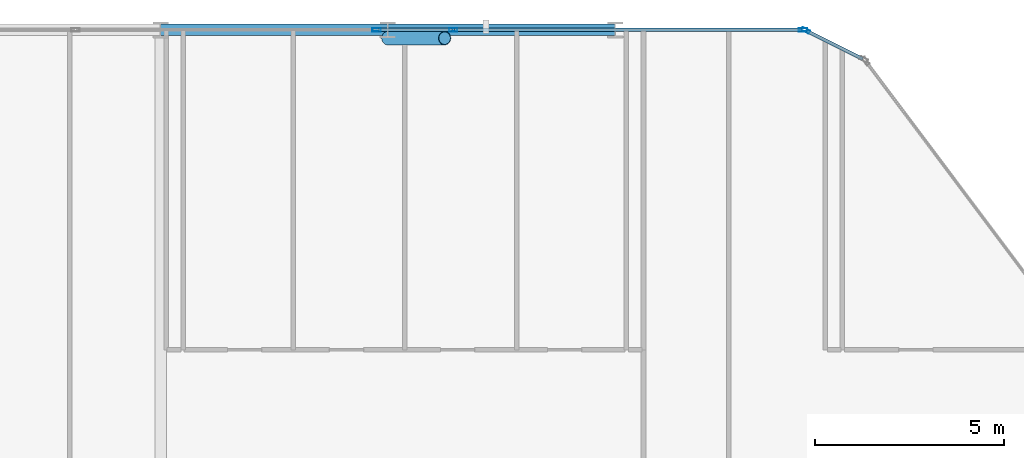
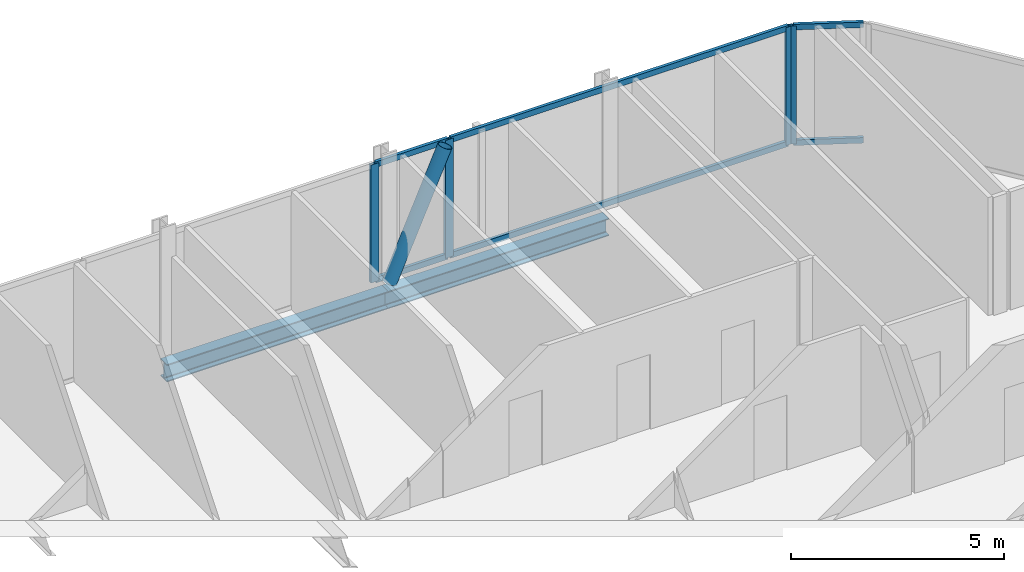
# One storey, part 16 of 34: 11 members, 2 beams, 4 elements without a shape of their own.
"""IFC4 building model written with IfcOpenShell, lengths in metres."""

from ifc_helpers import new_model, si_unit, direction, frame, origin, origin_2d, place, context, subcontext, project, spatial, hollow_rectangle, hollow_circle, i_section, extrude, material, layer, layer_set, material_profile, profile_set, type_object, element, aggregate, save


model = new_model("IFC4")

# Units and contexts
model_context = context("Model", 3, precision=1e-05, world=origin(), true_north=direction((0.0, 1.0)))
body_context = subcontext(model_context, "Body", "Model", "MODEL_VIEW")
ifc_project = project(units=[si_unit("LENGTHUNIT", "METRE"), si_unit("AREAUNIT", "SQUARE_METRE"), si_unit("VOLUMEUNIT", "CUBIC_METRE"), si_unit("PLANEANGLEUNIT", "RADIAN"), si_unit("MASSUNIT", "GRAM", prefix="KILO")], contexts=[model_context])

# Site, building, storey
site_placement = place(None, origin())
site = spatial("IfcSite", under=ifc_project, at=site_placement, CompositionType="ELEMENT")
building_placement = place(site_placement, origin())
building = spatial("IfcBuilding", under=site, at=building_placement, Name="Keshet Zoharim Tower", CompositionType="ELEMENT")
storey_placement = place(building_placement, frame((0.0, 0.0, 31.39990234375)))
storey = spatial("IfcBuildingStorey", under=building, at=storey_placement, Name="L06", CompositionType="ELEMENT", Elevation=31.39990234375)

# Beams
ifc_material_1 = material(Name="Steel S355", Category="steel")
ifc_material_profile_1 = material_profile(ifc_material_1, i_section(OverallWidth=0.300048828125, OverallDepth=0.5, WebThickness=0.014404296875, FlangeThickness=0.028076171875, FilletRadius=0.027099609375, at=origin_2d()), Name="HEB500")
ifc_profile_set_1 = profile_set([ifc_material_profile_1], Name="Steel S355")
beam_type = type_object("IfcBeamType", Name="BM-WEB-HB500", PredefinedType="BEAM", material=ifc_profile_set_1)
for number, where, z_axis, x_axis, name in (
    (1, (33.0, 53.89990234375, -0.56494140625), (1.0, 0.0, 0.0), (0.0, 1.0, 0.0), "L06 Primary Girder X-031"),
    (2, (39.0, 53.89990234375, -0.56494140625), (1.0, 0.0, 0.0), (0.0, 1.0, 0.0), "L06 Primary Girder X-032"),
):
    element("IfcBeam", number, at=place(storey_placement, frame(where, z_axis=z_axis, x_axis=x_axis)), inside=storey, type_object=beam_type, Name=name, PredefinedType="BEAM", context=body_context, shape_type="SweptSolid", body=[
        extrude(i_section(OverallWidth=0.300048828125, OverallDepth=0.5, WebThickness=0.014404296875, FlangeThickness=0.028076171875, FilletRadius=0.027099609375, at=origin_2d()), origin(), (0.0, 0.0, 1.0), 6.0),
    ])

# Curtain wall, member
ifc_material_2 = material(Name="Aluminium 6063-T6", Category="aluminium")
ifc_layer = layer(ifc_material_2, 0.169921875)
ifc_layer_set = layer_set([ifc_layer], Name="Aluminium 6063-T6")
curtain_wall_type = type_object("IfcCurtainWallType", Name="CW-SYS-02", PredefinedType="NOTDEFINED", material=ifc_layer_set)
curtain_wall_1_placement = place(storey_placement, origin())
curtain_wall_1 = element("IfcCurtainWall", 3, at=curtain_wall_1_placement, inside=storey, type_object=curtain_wall_type, Name="L06 Unitised Curtain Wall 07 Part 3", PredefinedType="NOTDEFINED")
ifc_material_profile_2 = material_profile(ifc_material_2, hollow_rectangle(XDim=0.090087890625, YDim=0.219970703125, WallThickness=0.0048828125, at=origin_2d()), Name="MUL-90x220")
ifc_profile_set_2 = profile_set([ifc_material_profile_2], Name="Aluminium 6063-T6")
member_type_1 = type_object("IfcMemberType", Name="CWM-M22", PredefinedType="MULLION", material=ifc_profile_set_2)
member_1_placement = place(storey_placement, frame((38.702392578125, 53.89990234375, 0.0), z_axis=(0.0, 0.0, 1.0), x_axis=(0.0, 1.0, 0.0)))
member_1 = element("IfcMember", 4, at=member_1_placement, type_object=member_type_1, Name="CW-02 mullion 3", PredefinedType="MULLION", context=body_context, shape_type="SweptSolid", body=[
    extrude(hollow_rectangle(XDim=0.090087890625, YDim=0.219970703125, WallThickness=0.0048828125, at=origin_2d()), origin(), (0.0, 0.0, 1.0), 3.385009765625),
])
aggregate(curtain_wall_1, [member_1])

curtain_wall_2_placement = place(storey_placement, origin())
curtain_wall_2 = element("IfcCurtainWall", 5, at=curtain_wall_2_placement, inside=storey, type_object=curtain_wall_type, Name="L06 Unitised Curtain Wall 07 Part 4", PredefinedType="NOTDEFINED")
member_2_placement = place(storey_placement, frame((40.7275390625, 53.89990234375, 0.0), z_axis=(0.0, 0.0, 1.0), x_axis=(0.0, 1.0, 0.0)))
member_2 = element("IfcMember", 6, at=member_2_placement, type_object=member_type_1, Name="CW-02 mullion 2", PredefinedType="MULLION", context=body_context, shape_type="SweptSolid", body=[
    extrude(hollow_rectangle(XDim=0.090087890625, YDim=0.219970703125, WallThickness=0.0048828125, at=origin_2d()), origin(), (0.0, 0.0, 1.0), 3.385009765625),
])

curtain_wall_3_placement = place(storey_placement, origin())
curtain_wall_3 = element("IfcCurtainWall", 7, at=curtain_wall_3_placement, inside=storey, type_object=curtain_wall_type, Name="L06 Unitised Curtain Wall 07 Part 5", PredefinedType="NOTDEFINED")
member_3_placement = place(storey_placement, frame((49.965087890625, 53.89990234375, 0.0), z_axis=(0.0, 0.0, 1.0), x_axis=(0.0, 1.0, 0.0)))
member_3 = element("IfcMember", 8, at=member_3_placement, type_object=member_type_1, Name="CW-02 mullion 2", PredefinedType="MULLION", context=body_context, shape_type="SweptSolid", body=[
    extrude(hollow_rectangle(XDim=0.090087890625, YDim=0.219970703125, WallThickness=0.0048828125, at=origin_2d()), origin(), (0.0, 0.0, 1.0), 3.385009765625),
])

curtain_wall_4_placement = place(storey_placement, origin())
curtain_wall_4 = element("IfcCurtainWall", 9, at=curtain_wall_4_placement, inside=storey, type_object=curtain_wall_type, Name="L06 Unitised Curtain Wall 08", PredefinedType="NOTDEFINED")
member_4_placement = place(storey_placement, frame((50.03125, 53.88427734375, 0.0), z_axis=(0.0, 0.0, 1.0), x_axis=(0.447213595499, 0.894427191001, 0.0)))
member_4 = element("IfcMember", 10, at=member_4_placement, type_object=member_type_1, Name="CW-02 mullion 1", PredefinedType="MULLION", context=body_context, shape_type="SweptSolid", body=[
    extrude(hollow_rectangle(XDim=0.090087890625, YDim=0.219970703125, WallThickness=0.0048828125, at=origin_2d()), origin(), (0.0, 0.0, 1.0), 3.385009765625),
])

# Member
ifc_material_profile_3 = material_profile(ifc_material_2, hollow_rectangle(XDim=0.0849609375, YDim=0.159912109375, WallThickness=0.00439453125, at=origin_2d()), Name="TRN-85x160")
ifc_profile_set_3 = profile_set([ifc_material_profile_3], Name="Aluminium 6063-T6")
member_type_2 = type_object("IfcMemberType", Name="CWT-T16", PredefinedType="USERDEFINED", material=ifc_profile_set_3)
member_5_placement = place(storey_placement, frame((38.7373046875, 53.89990234375, 0.03515625), z_axis=(1.0, 0.0, 0.0), x_axis=(0.0, 1.0, 0.0)))
member_5 = element("IfcMember", 11, at=member_5_placement, type_object=member_type_2, Name="CW-02 transom 1.1", ObjectType="TRANSOM", PredefinedType="USERDEFINED", context=body_context, shape_type="SweptSolid", body=[
    extrude(hollow_rectangle(XDim=0.0849609375, YDim=0.159912109375, WallThickness=0.00439453125, at=origin_2d()), origin(), (0.0, 0.0, 1.0), 1.955322265625),
])

member_6_placement = place(storey_placement, frame((38.7373046875, 53.89990234375, 3.35009765625), z_axis=(1.0, 0.0, 0.0), x_axis=(0.0, 1.0, 0.0)))
member_6 = element("IfcMember", 12, at=member_6_placement, type_object=member_type_2, Name="CW-02 transom 1.2", ObjectType="TRANSOM", PredefinedType="USERDEFINED", context=body_context, shape_type="SweptSolid", body=[
    extrude(hollow_rectangle(XDim=0.0849609375, YDim=0.159912109375, WallThickness=0.00439453125, at=origin_2d()), origin(), (0.0, 0.0, 1.0), 1.955322265625),
])

aggregate(curtain_wall_2, [member_2, member_5, member_6])

member_7_placement = place(storey_placement, frame((40.7626953125, 53.89990234375, 0.03515625), z_axis=(1.0, 0.0, 0.0), x_axis=(0.0, 1.0, 0.0)))
member_7 = element("IfcMember", 13, at=member_7_placement, type_object=member_type_2, Name="CW-02 transom 1.1", ObjectType="TRANSOM", PredefinedType="USERDEFINED", context=body_context, shape_type="SweptSolid", body=[
    extrude(hollow_rectangle(XDim=0.0849609375, YDim=0.159912109375, WallThickness=0.00439453125, at=origin_2d()), origin(), (0.0, 0.0, 1.0), 9.167236328125),
])

member_8_placement = place(storey_placement, frame((40.7626953125, 53.89990234375, 3.35009765625), z_axis=(1.0, 0.0, 0.0), x_axis=(0.0, 1.0, 0.0)))
member_8 = element("IfcMember", 14, at=member_8_placement, type_object=member_type_2, Name="CW-02 transom 1.2", ObjectType="TRANSOM", PredefinedType="USERDEFINED", context=body_context, shape_type="SweptSolid", body=[
    extrude(hollow_rectangle(XDim=0.0849609375, YDim=0.159912109375, WallThickness=0.00439453125, at=origin_2d()), origin(), (0.0, 0.0, 1.0), 9.167236328125),
])

aggregate(curtain_wall_3, [member_3, member_7, member_8])

member_9_placement = place(storey_placement, frame((50.0625, 53.86865234375, 0.03515625), z_axis=(0.894456801911, -0.447154368775, 0.0), x_axis=(0.447154368775, 0.894456801911, 0.0)))
member_9 = element("IfcMember", 15, at=member_9_placement, type_object=member_type_2, Name="CW-02 transom 1.1", ObjectType="TRANSOM", PredefinedType="USERDEFINED", context=body_context, shape_type="SweptSolid", body=[
    extrude(hollow_rectangle(XDim=0.0849609375, YDim=0.159912109375, WallThickness=0.00439453125, at=origin_2d()), origin(), (0.0, 0.0, 1.0), 1.64892578125),
])

member_10_placement = place(storey_placement, frame((50.0625, 53.86865234375, 3.35009765625), z_axis=(0.894456801911, -0.447154368775, 0.0), x_axis=(0.447154368775, 0.894456801911, 0.0)))
member_10 = element("IfcMember", 16, at=member_10_placement, type_object=member_type_2, Name="CW-02 transom 1.2", ObjectType="TRANSOM", PredefinedType="USERDEFINED", context=body_context, shape_type="SweptSolid", body=[
    extrude(hollow_rectangle(XDim=0.0849609375, YDim=0.159912109375, WallThickness=0.00439453125, at=origin_2d()), origin(), (0.0, 0.0, 1.0), 1.64892578125),
])

aggregate(curtain_wall_4, [member_4, member_9, member_10])

ifc_material_profile_4 = material_profile(ifc_material_1, hollow_circle(Radius=0.177734375, WallThickness=0.012451171875, at=origin_2d()), Name="CHS355x12.5")
ifc_profile_set_4 = profile_set([ifc_material_profile_4], Name="Steel S355")
member_type_3 = type_object("IfcMemberType", Name="MB-BR-C355", PredefinedType="BRACE", material=ifc_profile_set_4)
member_11_placement = place(storey_placement, frame((39.0, 53.679931640625, 0.0), z_axis=(0.405134846829, 0.0, 0.91425694194), x_axis=(0.0, 1.0, 0.0)))
element("IfcMember", 17, at=member_11_placement, inside=storey, type_object=member_type_3, Name="L06 Perimeter Tube Brace 04", PredefinedType="BRACE", context=body_context, shape_type="SweptSolid", body=[
    extrude(hollow_circle(Radius=0.177734375, WallThickness=0.012451171875, at=origin_2d()), origin(), (0.0, 0.0, 1.0), 3.702392578125),
])

save(model, "model.ifc")
